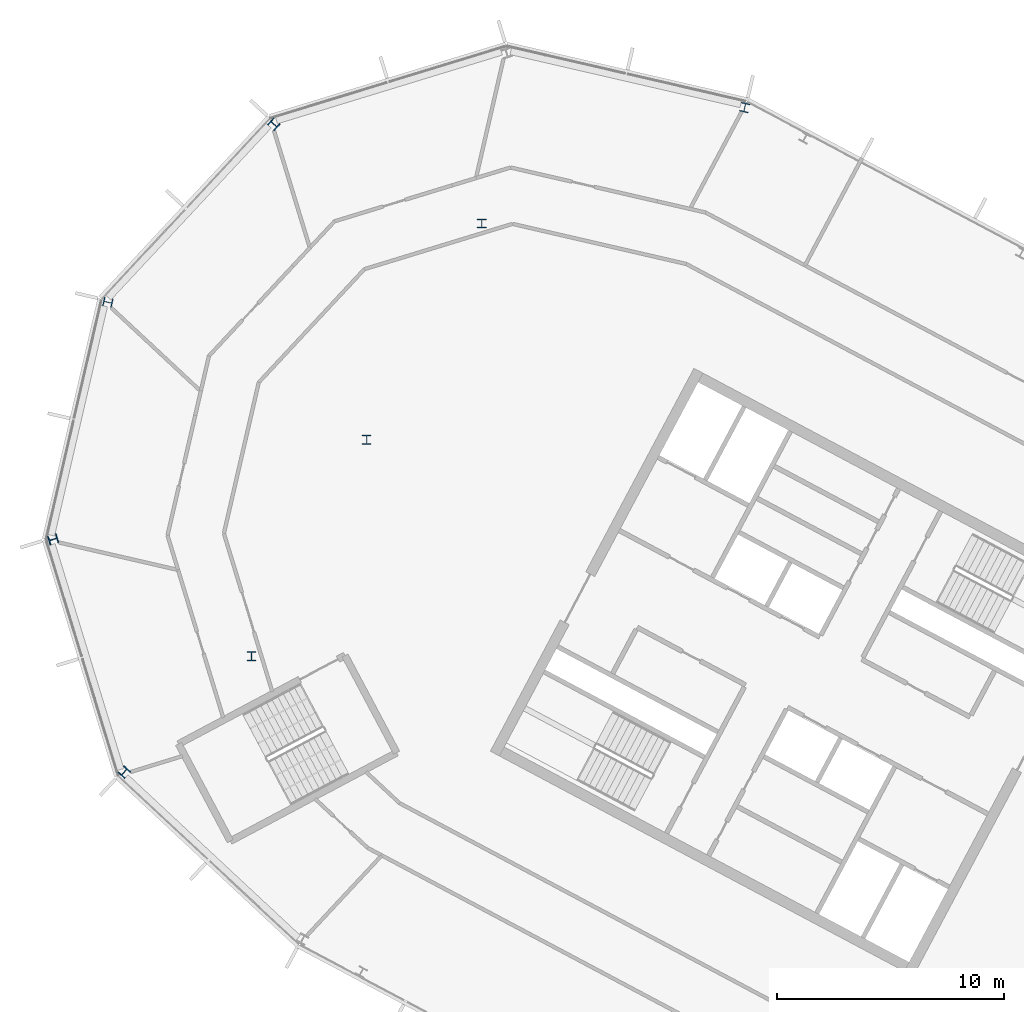
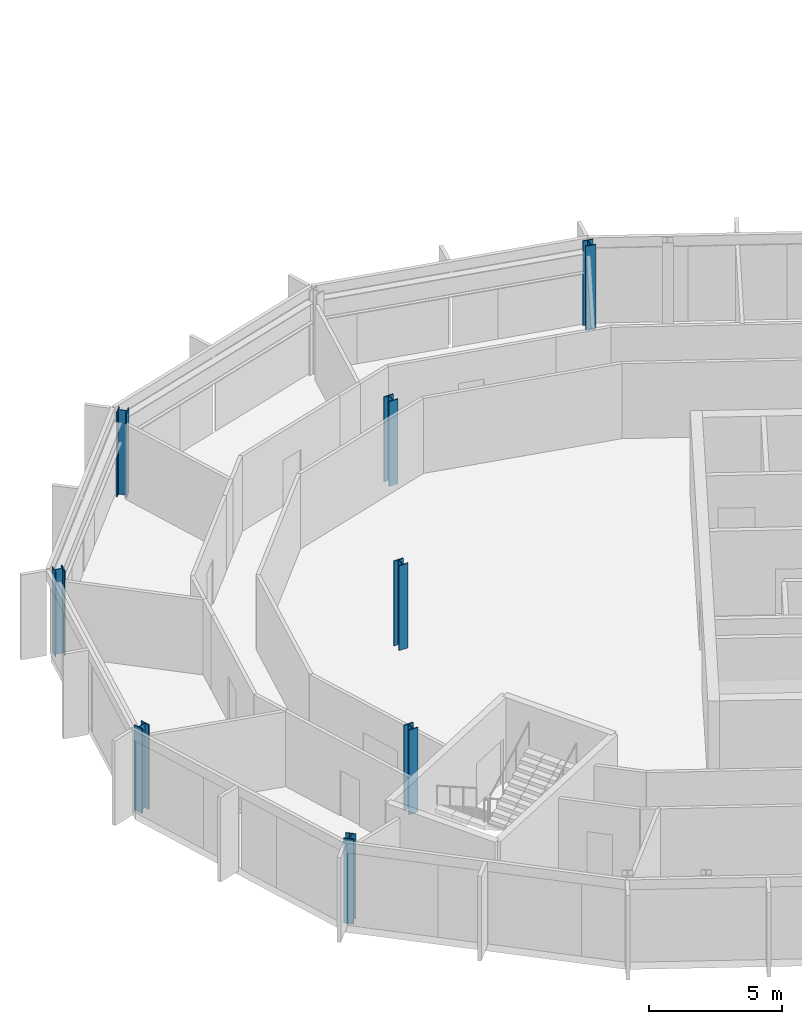
# One storey, part 3 of 26: 8 columns.
"""IFC4 building model written with IfcOpenShell, lengths in metres."""

from ifc_helpers import new_model, si_unit, direction, frame, origin, origin_2d, place, context, subcontext, project, spatial, i_section, extrude, material, material_profile, profile_set, type_object, element, save


model = new_model("IFC4")

# Units and contexts
model_context = context("Model", 3, precision=1e-05, world=origin(), true_north=direction((0.0, 1.0)))
body_context = subcontext(model_context, "Body", "Model", "MODEL_VIEW")
ifc_project = project(units=[si_unit("LENGTHUNIT", "METRE"), si_unit("AREAUNIT", "SQUARE_METRE"), si_unit("VOLUMEUNIT", "CUBIC_METRE"), si_unit("PLANEANGLEUNIT", "RADIAN"), si_unit("MASSUNIT", "GRAM", prefix="KILO")], contexts=[model_context])

# Site, building, storey
site_placement = place(None, origin())
site = spatial("IfcSite", under=ifc_project, at=site_placement, CompositionType="ELEMENT")
building_placement = place(site_placement, origin())
building = spatial("IfcBuilding", under=site, at=building_placement, Name="Cormorant Relay Tower", CompositionType="ELEMENT")
storey_placement = place(building_placement, frame((0.0, 0.0, 316.5)))
storey = spatial("IfcBuildingStorey", under=building, at=storey_placement, Name="L72", CompositionType="ELEMENT", Elevation=316.5)

# Columns
ifc_material = material(Name="Steel ASTM A992 (Fy 345 MPa)", Category="steel")
ifc_material_profile = material_profile(ifc_material, i_section(OverallWidth=0.40380859375, OverallDepth=0.406494140625, WebThickness=0.027099609375, FlangeThickness=0.043701171875, FilletRadius=0.01513671875, at=origin_2d()), Name="W360x347")
ifc_profile_set = profile_set([ifc_material_profile], Name="Steel ASTM A992 (Fy 345 MPa)")
column_type = type_object("IfcColumnType", Name="Column W360x347", PredefinedType="COLUMN", material=ifc_profile_set)
for number, where, z_axis, x_axis, name in (
    (1, (-57.2958984375, 10.152099609375, 0.0), (0.0, 0.0, 1.0), (0.731353701619, -0.681998360062, 0.0), "Column L72-022"),
    (2, (-51.68994140625, 15.251953125, 0.0), (0.0, 0.0, 1.0), (1.0, 0.0, 0.0), "Column L72-026"),
    (3, (-60.429931640625, 20.403076171875, 0.0), (0.0, 0.0, 1.0), (0.292371704723, -0.956304755963, 0.0), "Column L72-028"),
    (4, (-46.6201171875, 24.7880859375, 0.0), (0.0, 0.0, 1.0), (1.0, 0.0, 0.0), "Column L72-030"),
    (5, (-58.01806640625, 30.84912109375, 0.0), (0.0, 0.0, 1.0), (-0.224951054344, -0.974370064785, 0.0), "Column L72-034"),
    (6, (-41.549072265625, 34.323974609375, 0.0), (0.0, 0.0, 1.0), (1.0, 0.0, 0.0), "Column L72-037"),
    (7, (-50.70703125, 38.68896484375, 0.0), (0.0, 0.0, 1.0), (-0.681998360062, -0.731353701619, 0.0), "Column L72-041"),
    (8, (-29.965087890625, 39.425048828125, 0.0), (0.0, 0.0, 1.0), (-0.974370064785, 0.224951054344, 0.0), "Column L72-042"),
):
    element("IfcColumn", number, at=place(storey_placement, frame(where, z_axis=z_axis, x_axis=x_axis)), inside=storey, type_object=column_type, Name=name, PredefinedType="COLUMN", context=body_context, shape_type="SweptSolid", body=[
        extrude(i_section(OverallWidth=0.40380859375, OverallDepth=0.406494140625, WebThickness=0.027099609375, FlangeThickness=0.043701171875, FilletRadius=0.01513671875, at=origin_2d()), origin(), (0.0, 0.0, 1.0), 3.89990234375),
    ])

save(model, "model.ifc")
